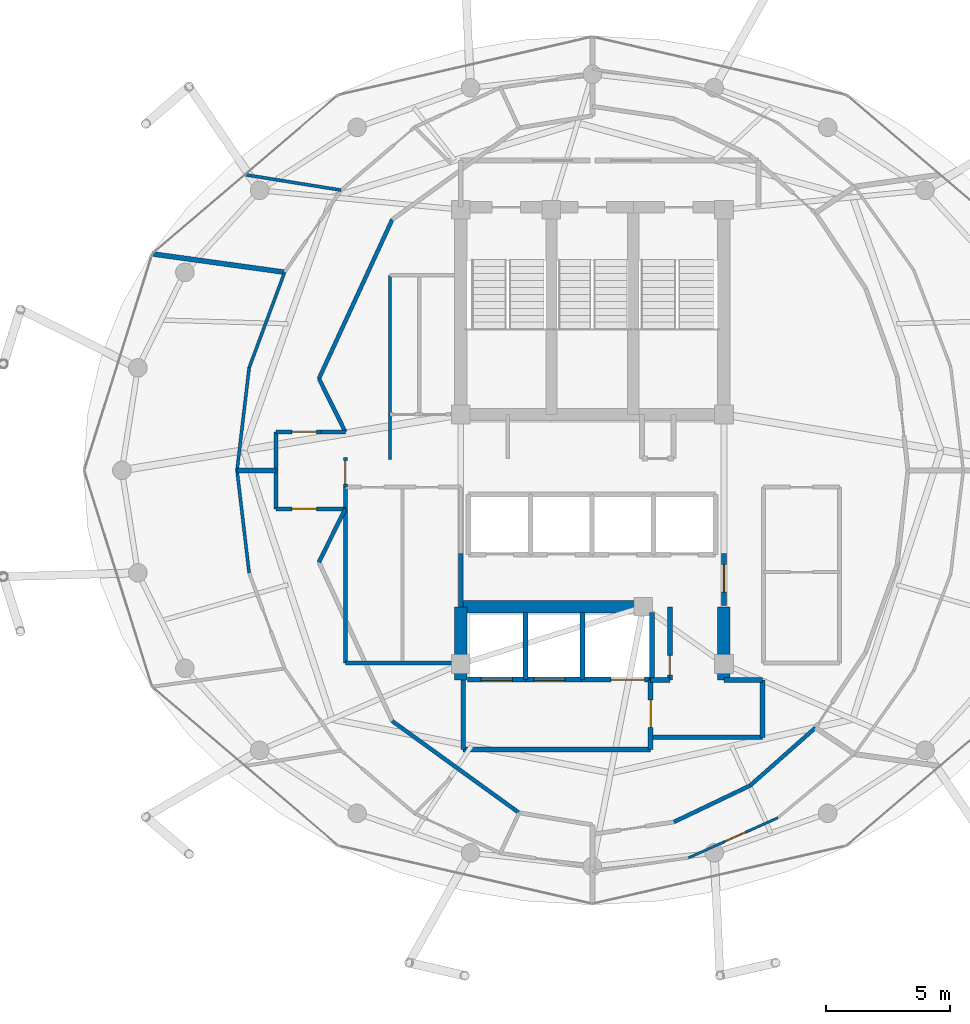
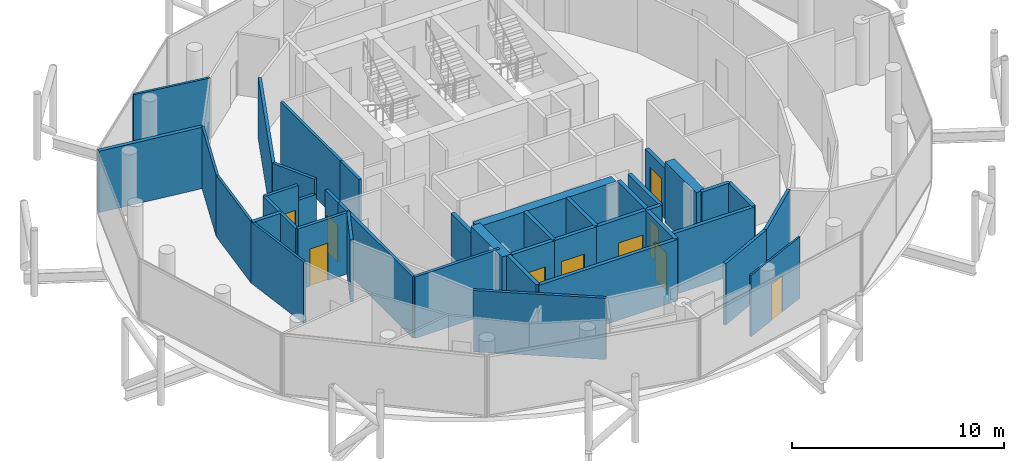
# One storey, part 20 of 24: 41 walls, 10 doors, 10 openings.
"""IFC4 building model written with IfcOpenShell, lengths in metres."""

from ifc_helpers import new_model, si_unit, direction, frame, frame_2d, origin, place, context, subcontext, project, spatial, rectangle, extrude, material, layer, layer_set, type_object, element, fill, save


model = new_model("IFC4")

# Units and contexts
model_context = context("Model", 3, precision=1e-05, world=origin(), true_north=direction((0.0, 1.0)))
body_context = subcontext(model_context, "Body", "Model", "MODEL_VIEW")
ifc_project = project(units=[si_unit("LENGTHUNIT", "METRE"), si_unit("AREAUNIT", "SQUARE_METRE"), si_unit("VOLUMEUNIT", "CUBIC_METRE"), si_unit("PLANEANGLEUNIT", "RADIAN"), si_unit("MASSUNIT", "GRAM", prefix="KILO")], contexts=[model_context])

# Site, building, storey
site_placement = place(None, origin())
site = spatial("IfcSite", under=ifc_project, at=site_placement, CompositionType="ELEMENT")
building_placement = place(site_placement, origin())
building = spatial("IfcBuilding", under=site, at=building_placement, Name="Nuhasar Tower", CompositionType="ELEMENT")
storey_placement = place(building_placement, frame((0.0, 0.0, 270.800048828125)))
storey = spatial("IfcBuildingStorey", under=building, at=storey_placement, Name="L67", CompositionType="ELEMENT", Elevation=270.800048828125)

# Walls
ifc_material_1 = material(Name="Concrete C50/60", Category="concrete")
ifc_layer_1 = layer(ifc_material_1, 0.5)
ifc_layer_set_1 = layer_set([ifc_layer_1], Name="Concrete C50/60")
wall_type_1 = type_object("IfcWallType", Name="WL-CORE-500", PredefinedType="SHEAR", material=ifc_layer_set_1)
for number, where, z_axis, x_axis, name in (
    (1, (33.699951171875, 18.35009765625, 0.0), (0.0, 0.0, 1.0), (0.0, 1.0, 0.0), "L67 Core Shear Wall CW-SW CW-500"),
    (2, (44.300048828125, 18.35009765625, 0.0), (0.0, 0.0, 1.0), (0.0, 1.0, 0.0), "L67 Core Shear Wall CW-SE CW-500"),
):
    element("IfcWall", number, at=place(storey_placement, frame(where, z_axis=z_axis, x_axis=x_axis)), inside=storey, type_object=wall_type_1, Name=name, PredefinedType="SHEAR", context=body_context, shape_type="SweptSolid", body=[
        extrude(rectangle(XDim=2.949951171875, YDim=0.5, at=frame_2d((1.47509765625, 0.0))), origin(), (0.0, 0.0, 1.0), 3.5400390625),
    ])
wall_1_placement = place(storey_placement, frame((33.699951171875, 21.300048828125, 0.0), z_axis=(0.0, 0.0, 1.0), x_axis=(1.0, 0.0, 0.0)))
element("IfcWall", 3, at=wall_1_placement, inside=storey, type_object=wall_type_1, Name="L67 Core Shear Wall CW-S1 CW-500", PredefinedType="SHEAR", context=body_context, shape_type="SweptSolid", body=[
    extrude(rectangle(XDim=7.550048828125, YDim=0.5, at=frame_2d((3.77490234375, 0.0))), origin(), (0.0, 0.0, 1.0), 3.5400390625),
])
ifc_material_2 = material(Name="Gypsum Board", Category="gypsum")
ifc_layer_2 = layer(ifc_material_2, 0.159912109375)
ifc_layer_set_2 = layer_set([ifc_layer_2], Name="Gypsum Board")
wall_type_2 = type_object("IfcWallType", Name="WL-CORR-160", PredefinedType="PARTITIONING", material=ifc_layer_set_2)
wall_2_placement = place(storey_placement, frame((29.050048828125, 19.050048828125, 0.0), z_axis=(0.0, 0.0, 1.0), x_axis=(1.0, 0.0, 0.0)))
element("IfcWall", 4, at=wall_2_placement, inside=storey, type_object=wall_type_2, Name="L67 Interior Partition RECL-B1-S", PredefinedType="PARTITIONING", context=body_context, shape_type="SweptSolid", body=[
    extrude(rectangle(XDim=4.64990234375, YDim=0.159912109375, at=frame_2d((2.324951171875, 0.0))), origin(), (0.0, 0.0, 1.0), 3.5400390625),
])
wall_3_placement = place(storey_placement, frame((29.050048828125, 19.050048828125, 0.0), z_axis=(0.0, 0.0, 1.0), x_axis=(0.0, 1.0, 0.0)))
element("IfcWall", 5, at=wall_3_placement, inside=storey, type_object=wall_type_2, Name="L67 Interior Partition RECL-B1-W", PredefinedType="PARTITIONING", context=body_context, shape_type="SweptSolid", body=[
    extrude(rectangle(XDim=7.070068359375, YDim=0.159912109375, at=frame_2d((3.53515625, 0.0))), origin(), (0.0, 0.0, 1.0), 3.5400390625),
])

# Wall, opening, door
wall_4_placement = place(storey_placement, frame((29.050048828125, 26.1201171875, 0.0), z_axis=(0.0, 0.0, 1.0), x_axis=(0.0, 1.0, 0.0)))
wall_4 = element("IfcWall", 6, at=wall_4_placement, inside=storey, type_object=wall_type_2, Name="L67 Interior Partition WVEST-E", PredefinedType="PARTITIONING", context=body_context, shape_type="SweptSolid", body=[
    extrude(rectangle(XDim=1.199951171875, YDim=0.159912109375, at=frame_2d((0.60009765625, 0.0))), origin(), (0.0, 0.0, 1.0), 3.5400390625),
])
opening_1_placement = place(wall_4_placement, frame((0.125, 0.0, 0.0)))
opening_1 = element("IfcOpeningElement", 7, at=opening_1_placement, cuts=wall_4, Name="Opening DO-01", PredefinedType="OPENING", context=body_context, shape_type="SweptSolid", body=[
    extrude(rectangle(XDim=0.949951171875, YDim=2.14990234375, at=frame_2d((0.47509765625, 1.074951171875))), frame((0.0, 0.08984375, 0.0), z_axis=(0.0, -1.0, 0.0), x_axis=(1.0, 0.0, 0.0)), (0.0, 0.0, 1.0), 0.179931640625),
])
ifc_material_3 = material(Name="Timber Oak", Category="wood")
door_type_1 = type_object("IfcDoorType", Name="DR-OFFICE-FD30-950", OperationType="NOTDEFINED", PredefinedType="DOOR", material=ifc_material_3)
door_1_placement = place(opening_1_placement, origin())
door_1 = element("IfcDoor", 8, at=door_1_placement, inside=storey, type_object=door_type_1, Name="L67 West Arrival Foyer Core Door", OperationType="SINGLE_SWING_RIGHT", OverallHeight=2.14990234375, OverallWidth=0.949951171875, PredefinedType="DOOR", context=body_context, shape_type="SweptSolid", body=[
    extrude(rectangle(XDim=0.949951171875, YDim=2.14990234375, at=frame_2d((0.47509765625, 1.074951171875))), frame((0.0, 0.02490234375, 0.0), z_axis=(0.0, -1.0, 0.0), x_axis=(1.0, 0.0, 0.0)), (0.0, 0.0, 1.0), 0.050048828125),
])
fill(opening_1, door_1)

# Walls
wall_5_placement = place(storey_placement, frame((42.2900390625, 12.639892578125, 0.0), z_axis=(0.0, 0.0, 1.0), x_axis=(0.902332393805, 0.431040892596, 0.0)))
element("IfcWall", 9, at=wall_5_placement, inside=storey, type_object=wall_type_2, Name="L67 Interior Partition CORR-38", PredefinedType="PARTITIONING", context=body_context, shape_type="SweptSolid", body=[
    extrude(rectangle(XDim=3.396728515625, YDim=0.159912109375, at=frame_2d((1.6982421875, 0.0))), origin(), (0.0, 0.0, 1.0), 3.5400390625),
])
wall_6_placement = place(storey_placement, frame((45.35498046875, 14.10400390625, 0.0), z_axis=(0.0, 0.0, 1.0), x_axis=(0.748756574311, 0.662845074226, 0.0)))
element("IfcWall", 10, at=wall_6_placement, inside=storey, type_object=wall_type_2, Name="L67 Interior Partition CORR-40", PredefinedType="PARTITIONING", context=body_context, shape_type="SweptSolid", body=[
    extrude(rectangle(XDim=3.515380859375, YDim=0.159912109375, at=frame_2d((1.7578125, 0.0))), origin(), (0.0, 0.0, 1.0), 3.5400390625),
])
wall_7_placement = place(storey_placement, frame((30.93896484375, 36.89697265625, 0.0), z_axis=(0.0, 0.0, 1.0), x_axis=(-0.41866934876, -0.908138742929, 0.0)))
element("IfcWall", 11, at=wall_7_placement, inside=storey, type_object=wall_type_2, Name="L67 Interior Partition UWEST-CORE-N2-18", PredefinedType="PARTITIONING", context=body_context, shape_type="SweptSolid", body=[
    extrude(rectangle(XDim=7.04833984375, YDim=0.159912109375, at=frame_2d((3.524169921875, 0.0))), origin(), (0.0, 0.0, 1.0), 3.5400390625),
])
wall_8_placement = place(storey_placement, frame((30.93896484375, 16.702880859375, 0.0), z_axis=(0.0, 0.0, 1.0), x_axis=(0.810290119061, -0.586028943784, 0.0)))
element("IfcWall", 12, at=wall_8_placement, inside=storey, type_object=wall_type_2, Name="L67 Interior Partition UWEST-CORE-S1-30", PredefinedType="PARTITIONING", context=body_context, shape_type="SweptSolid", body=[
    extrude(rectangle(XDim=6.306396484375, YDim=0.159912109375, at=frame_2d((3.1533203125, 0.0))), origin(), (0.0, 0.0, 1.0), 3.5400390625),
])

# Wall, opening, door
wall_9_placement = place(storey_placement, frame((26.25, 28.35009765625, 0.0), z_axis=(0.0, 0.0, 1.0), x_axis=(1.0, 0.0, 0.0)))
wall_9 = element("IfcWall", 13, at=wall_9_placement, inside=storey, type_object=wall_type_2, Name="L67 Interior Partition WVEST-N", PredefinedType="PARTITIONING", context=body_context, shape_type="SweptSolid", body=[
    extrude(rectangle(XDim=1.820068359375, YDim=0.159912109375, at=frame_2d((0.91015625, 0.0))), origin(), (0.0, 0.0, 1.0), 3.5400390625),
])
opening_2_placement = place(wall_9_placement, frame((0.64990234375, 0.0, 0.0)))
opening_2 = element("IfcOpeningElement", 14, at=opening_2_placement, cuts=wall_9, Name="Opening DU-02", PredefinedType="OPENING", context=body_context, shape_type="SweptSolid", body=[
    extrude(rectangle(XDim=1.0, YDim=2.14990234375, at=frame_2d((0.5, 1.074951171875))), frame((0.0, 0.08984375, 0.0), z_axis=(0.0, -1.0, 0.0), x_axis=(1.0, 0.0, 0.0)), (0.0, 0.0, 1.0), 0.179931640625),
])
door_type_2 = type_object("IfcDoorType", Name="DR-FLAT-FD60-1000", OperationType="NOTDEFINED", PredefinedType="DOOR", material=ifc_material_3)
door_2_placement = place(opening_2_placement, origin())
door_2 = element("IfcDoor", 15, at=door_2_placement, inside=storey, type_object=door_type_2, Name="L67 North-West Sky Home Entrance", OperationType="SINGLE_SWING_LEFT", OverallHeight=2.14990234375, OverallWidth=1.0, PredefinedType="DOOR", context=body_context, shape_type="SweptSolid", body=[
    extrude(rectangle(XDim=1.0, YDim=2.14990234375, at=frame_2d((0.5, 1.074951171875))), frame((0.0, 0.02490234375, 0.0), z_axis=(0.0, -1.0, 0.0), x_axis=(1.0, 0.0, 0.0)), (0.0, 0.0, 1.0), 0.050048828125),
])
fill(opening_2, door_2)

# Wall
wall_10_placement = place(storey_placement, frame((28.070068359375, 28.35009765625, 0.0), z_axis=(0.0, 0.0, 1.0), x_axis=(1.0, 0.0, 0.0)))
element("IfcWall", 16, at=wall_10_placement, inside=storey, type_object=wall_type_2, Name="L67 Interior Partition WVEST-N", PredefinedType="PARTITIONING", context=body_context, shape_type="SweptSolid", body=[
    extrude(rectangle(XDim=0.97998046875, YDim=0.159912109375, at=frame_2d((0.489990234375, 0.0))), origin(), (0.0, 0.0, 1.0), 2.679931640625),
])

# Wall, opening, door
wall_11_placement = place(storey_placement, frame((26.25, 25.25, 0.0), z_axis=(0.0, 0.0, 1.0), x_axis=(1.0, 0.0, 0.0)))
wall_11 = element("IfcWall", 17, at=wall_11_placement, inside=storey, type_object=wall_type_2, Name="L67 Interior Partition WVEST-S", PredefinedType="PARTITIONING", context=body_context, shape_type="SweptSolid", body=[
    extrude(rectangle(XDim=2.800048828125, YDim=0.159912109375, at=frame_2d((1.39990234375, 0.0))), origin(), (0.0, 0.0, 1.0), 3.5400390625),
])
opening_3_placement = place(wall_11_placement, frame((0.64990234375, 0.0, 0.0)))
opening_3 = element("IfcOpeningElement", 18, at=opening_3_placement, cuts=wall_11, Name="Opening DU-02", PredefinedType="OPENING", context=body_context, shape_type="SweptSolid", body=[
    extrude(rectangle(XDim=1.0, YDim=2.14990234375, at=frame_2d((0.5, 1.074951171875))), frame((0.0, 0.08984375, 0.0), z_axis=(0.0, -1.0, 0.0), x_axis=(1.0, 0.0, 0.0)), (0.0, 0.0, 1.0), 0.179931640625),
])
door_3_placement = place(opening_3_placement, origin())
door_3 = element("IfcDoor", 19, at=door_3_placement, inside=storey, type_object=door_type_2, Name="L67 South-West Sky Home Entrance", OperationType="SINGLE_SWING_LEFT", OverallHeight=2.14990234375, OverallWidth=1.0, PredefinedType="DOOR", context=body_context, shape_type="SweptSolid", body=[
    extrude(rectangle(XDim=1.0, YDim=2.14990234375, at=frame_2d((0.5, 1.074951171875))), frame((0.0, 0.02490234375, 0.0), z_axis=(0.0, -1.0, 0.0), x_axis=(1.0, 0.0, 0.0)), (0.0, 0.0, 1.0), 0.050048828125),
])
fill(opening_3, door_3)

# Walls
wall_12_placement = place(storey_placement, frame((26.25, 25.25, 0.0), z_axis=(0.0, 0.0, 1.0), x_axis=(0.0, 1.0, 0.0)))
element("IfcWall", 20, at=wall_12_placement, inside=storey, type_object=wall_type_2, Name="L67 Interior Partition WVEST-W", PredefinedType="PARTITIONING", context=body_context, shape_type="SweptSolid", body=[
    extrude(rectangle(XDim=3.10009765625, YDim=0.159912109375, at=frame_2d((1.550048828125, 0.0))), origin(), (0.0, 0.0, 1.0), 3.5400390625),
])
for number, where, z_axis, x_axis, name in (
    (21, (27.988037109375, 30.49609375, 0.0), (0.0, 0.0, 1.0), (0.443539160525, -0.896254993337, 0.0), "L67 Interior Partition WVEST-CN"),
    (22, (27.988037109375, 23.10400390625, 0.0), (0.0, 0.0, 1.0), (0.443539160525, 0.896254993337, 0.0), "L67 Interior Partition WVEST-CS"),
):
    element("IfcWall", number, at=place(storey_placement, frame(where, z_axis=z_axis, x_axis=x_axis)), inside=storey, type_object=wall_type_2, Name=name, PredefinedType="PARTITIONING", context=body_context, shape_type="SweptSolid", body=[
        extrude(rectangle(XDim=2.394287109375, YDim=0.159912109375, at=frame_2d((1.197265625, 0.0))), origin(), (0.0, 0.0, 1.0), 3.5400390625),
    ])
ifc_material_4 = material(Name="Concrete C45/55", Category="concrete")
ifc_layer_3 = layer(ifc_material_4, 0.199951171875)
ifc_layer_set_3 = layer_set([ifc_layer_3], Name="Concrete C45/55")
wall_type_3 = type_object("IfcWallType", Name="WL-LOBBY-200", PredefinedType="SOLIDWALL", material=ifc_layer_set_3)
wall_13_placement = place(storey_placement, frame((33.699951171875, 21.300048828125, 0.0), z_axis=(0.0, 0.0, 1.0), x_axis=(0.0, 1.0, 0.0)))
element("IfcWall", 23, at=wall_13_placement, inside=storey, type_object=wall_type_3, Name="L67 Interior Partition LLBH-W", PredefinedType="SOLIDWALL", context=body_context, shape_type="SweptSolid", body=[
    extrude(rectangle(XDim=2.14990234375, YDim=0.199951171875, at=frame_2d((1.074951171875, 0.0))), origin(), (0.0, 0.0, 1.0), 2.925048828125),
])

# Wall, opening, door
wall_14_placement = place(storey_placement, frame((44.300048828125, 21.35009765625, 0.0), z_axis=(0.0, 0.0, 1.0), x_axis=(0.0, 1.0, 0.0)))
wall_14 = element("IfcWall", 24, at=wall_14_placement, inside=storey, type_object=wall_type_3, Name="L67 Interior Partition LLBH-E", PredefinedType="SOLIDWALL", context=body_context, shape_type="SweptSolid", body=[
    extrude(rectangle(XDim=2.099853515625, YDim=0.199951171875, at=frame_2d((1.0498046875, 0.0))), origin(), (0.0, 0.0, 1.0), 2.925048828125),
])
opening_4_placement = place(wall_14_placement, frame((0.550048828125, 0.0, 0.0)))
opening_4 = element("IfcOpeningElement", 25, at=opening_4_placement, cuts=wall_14, Name="Opening DS-02", PredefinedType="OPENING", context=body_context, shape_type="SweptSolid", body=[
    extrude(rectangle(XDim=1.10009765625, YDim=2.14990234375, at=frame_2d((0.550048828125, 1.074951171875))), frame((0.0, 0.10986328125, 0.0), z_axis=(0.0, -1.0, 0.0), x_axis=(1.0, 0.0, 0.0)), (0.0, 0.0, 1.0), 0.219970703125),
])
ifc_material_5 = material(Name="Steel S355", Category="steel")
door_type_3 = type_object("IfcDoorType", Name="DR-FFL-FD120-1100", OperationType="NOTDEFINED", PredefinedType="DOOR", material=ifc_material_5)
door_4_placement = place(opening_4_placement, origin())
door_4 = element("IfcDoor", 26, at=door_4_placement, inside=storey, type_object=door_type_3, Name="L67 High-Rise Lobby East Door", OperationType="SINGLE_SWING_RIGHT", OverallHeight=2.14990234375, OverallWidth=1.10009765625, PredefinedType="DOOR", context=body_context, shape_type="SweptSolid", body=[
    extrude(rectangle(XDim=1.10009765625, YDim=2.14990234375, at=frame_2d((0.550048828125, 1.074951171875))), frame((0.0, 0.02490234375, 0.0), z_axis=(0.0, -1.0, 0.0), x_axis=(1.0, 0.0, 0.0)), (0.0, 0.0, 1.0), 0.050048828125),
])
fill(opening_4, door_4)

# Walls
wall_15_placement = place(storey_placement, frame((33.800048828125, 15.550048828125, 0.0), z_axis=(0.0, 0.0, 1.0), x_axis=(1.0, 0.0, 0.0)))
element("IfcWall", 27, at=wall_15_placement, inside=storey, type_object=wall_type_3, Name="L67 Interior Partition FFL-S", PredefinedType="SOLIDWALL", context=body_context, shape_type="SweptSolid", body=[
    extrude(rectangle(XDim=7.550048828125, YDim=0.199951171875, at=frame_2d((3.77490234375, 0.0))), origin(), (0.0, 0.0, 1.0), 3.5400390625),
])
wall_16_placement = place(storey_placement, frame((33.800048828125, 15.550048828125, 0.0), z_axis=(0.0, 0.0, 1.0), x_axis=(0.0, 1.0, 0.0)))
element("IfcWall", 28, at=wall_16_placement, inside=storey, type_object=wall_type_3, Name="L67 Interior Partition FFL-W", PredefinedType="SOLIDWALL", context=body_context, shape_type="SweptSolid", body=[
    extrude(rectangle(XDim=2.800048828125, YDim=0.199951171875, at=frame_2d((1.39990234375, 0.0))), origin(), (0.0, 0.0, 1.0), 3.5400390625),
])

# Wall, opening, door
wall_17_placement = place(storey_placement, frame((41.35009765625, 15.550048828125, 0.0), z_axis=(0.0, 0.0, 1.0), x_axis=(0.0, 1.0, 0.0)))
wall_17 = element("IfcWall", 29, at=wall_17_placement, inside=storey, type_object=wall_type_3, Name="L67 Interior Partition FFL-E", PredefinedType="SOLIDWALL", context=body_context, shape_type="SweptSolid", body=[
    extrude(rectangle(XDim=2.800048828125, YDim=0.199951171875, at=frame_2d((1.39990234375, 0.0))), origin(), (0.0, 0.0, 1.0), 3.5400390625),
])
opening_5_placement = place(wall_17_placement, frame((0.89990234375, 0.0, 0.0)))
opening_5 = element("IfcOpeningElement", 30, at=opening_5_placement, cuts=wall_17, Name="Opening DS-02", PredefinedType="OPENING", context=body_context, shape_type="SweptSolid", body=[
    extrude(rectangle(XDim=1.10009765625, YDim=2.14990234375, at=frame_2d((0.550048828125, 1.074951171875))), frame((0.0, 0.10986328125, 0.0), z_axis=(0.0, -1.0, 0.0), x_axis=(1.0, 0.0, 0.0)), (0.0, 0.0, 1.0), 0.219970703125),
])
door_5_placement = place(opening_5_placement, origin())
door_5 = element("IfcDoor", 31, at=door_5_placement, inside=storey, type_object=door_type_3, Name="L67 Firefighting Lobby Door", OperationType="SINGLE_SWING_RIGHT", OverallHeight=2.14990234375, OverallWidth=1.10009765625, PredefinedType="DOOR", context=body_context, shape_type="SweptSolid", body=[
    extrude(rectangle(XDim=1.10009765625, YDim=2.14990234375, at=frame_2d((0.550048828125, 1.074951171875))), frame((0.0, 0.02490234375, 0.0), z_axis=(0.0, -1.0, 0.0), x_axis=(1.0, 0.0, 0.0)), (0.0, 0.0, 1.0), 0.050048828125),
])
fill(opening_5, door_5)

# Walls
wall_18_placement = place(storey_placement, frame((41.35009765625, 16.050048828125, 0.0), z_axis=(0.0, 0.0, 1.0), x_axis=(1.0, 0.0, 0.0)))
element("IfcWall", 32, at=wall_18_placement, inside=storey, type_object=wall_type_3, Name="L67 Interior Partition SVLV-S", PredefinedType="SOLIDWALL", context=body_context, shape_type="SweptSolid", body=[
    extrude(rectangle(XDim=4.5, YDim=0.199951171875, at=frame_2d((2.25, 0.0))), origin(), (0.0, 0.0, 1.0), 3.5400390625),
])
wall_19_placement = place(storey_placement, frame((45.85009765625, 16.050048828125, 0.0), z_axis=(0.0, 0.0, 1.0), x_axis=(0.0, 1.0, 0.0)))
element("IfcWall", 33, at=wall_19_placement, inside=storey, type_object=wall_type_3, Name="L67 Interior Partition SVLV-E", PredefinedType="SOLIDWALL", context=body_context, shape_type="SweptSolid", body=[
    extrude(rectangle(XDim=2.300048828125, YDim=0.199951171875, at=frame_2d((1.14990234375, 0.0))), origin(), (0.0, 0.0, 1.0), 3.5400390625),
])
wall_20_placement = place(storey_placement, frame((44.300048828125, 18.35009765625, 0.0), z_axis=(0.0, 0.0, 1.0), x_axis=(1.0, 0.0, 0.0)))
element("IfcWall", 34, at=wall_20_placement, inside=storey, type_object=wall_type_3, Name="L67 Interior Partition SVLV-N", PredefinedType="SOLIDWALL", context=body_context, shape_type="SweptSolid", body=[
    extrude(rectangle(XDim=1.550048828125, YDim=0.199951171875, at=frame_2d((0.77490234375, 0.0))), origin(), (0.0, 0.0, 1.0), 3.5400390625),
])

# Wall, opening, door
ifc_material_6 = material(Name="Aluminium 6063-T6", Category="aluminium")
ifc_layer_4 = layer(ifc_material_6, 0.10009765625)
ifc_layer_set_4 = layer_set([ifc_layer_4], Name="Aluminium 6063-T6")
wall_type_4 = type_object("IfcWallType", Name="WL-MOVABLE-100", PredefinedType="MOVABLE", material=ifc_layer_set_4)
wall_21_placement = place(storey_placement, frame((42.866943359375, 11.19091796875, 0.0), z_axis=(0.0, 0.0, 1.0), x_axis=(0.912616745569, 0.408816188166, 0.0)))
wall_21 = element("IfcWall", 35, at=wall_21_placement, inside=storey, type_object=wall_type_4, Name="L67 Interior Partition UMID5-01-38", PredefinedType="MOVABLE", context=body_context, shape_type="SweptSolid", body=[
    extrude(rectangle(XDim=3.947998046875, YDim=0.10009765625, at=frame_2d((1.97412109375, 0.0))), origin(), (0.0, 0.0, 1.0), 3.5400390625),
])
opening_6_placement = place(wall_21_placement, frame((1.6259765625, 0.0, 0.0)))
opening_6 = element("IfcOpeningElement", 36, at=opening_6_placement, cuts=wall_21, Name="Opening DR-01", PredefinedType="OPENING", context=body_context, shape_type="SweptSolid", body=[
    extrude(rectangle(XDim=0.89990234375, YDim=2.10009765625, at=frame_2d((0.449951171875, 1.050048828125))), frame((0.0, 0.06005859375, 0.0), z_axis=(0.0, -1.0, 0.0), x_axis=(1.0, 0.0, 0.0)), (0.0, 0.0, 1.0), 0.1201171875),
])
door_type_4 = type_object("IfcDoorType", Name="DR-ROOM-900", OperationType="NOTDEFINED", PredefinedType="DOOR", material=ifc_material_3)
door_6_placement = place(opening_6_placement, origin())
door_6 = element("IfcDoor", 37, at=door_6_placement, inside=storey, type_object=door_type_4, Name="L67 Private Chancellery Office 1 Inner Door", OperationType="SINGLE_SWING_RIGHT", OverallHeight=2.10009765625, OverallWidth=0.89990234375, PredefinedType="DOOR", context=body_context, shape_type="SweptSolid", body=[
    extrude(rectangle(XDim=0.89990234375, YDim=2.10009765625, at=frame_2d((0.449951171875, 1.050048828125))), frame((0.0, 0.02490234375, 0.0), z_axis=(0.0, -1.0, 0.0), x_axis=(1.0, 0.0, 0.0)), (0.0, 0.0, 1.0), 0.050048828125),
])
fill(opening_6, door_6)

# Walls
ifc_layer_5 = layer(ifc_material_2, 0.125)
ifc_layer_set_5 = layer_set([ifc_layer_5], Name="Gypsum Board")
wall_type_5 = type_object("IfcWallType", Name="WL-PART-125", PredefinedType="PARTITIONING", material=ifc_layer_set_5)
wall_22_placement = place(storey_placement, frame((26.60693359375, 34.780029296875, 0.0), z_axis=(0.0, 0.0, 1.0), x_axis=(-0.348032750503, -0.937482375609, 0.0)))
element("IfcWall", 38, at=wall_22_placement, inside=storey, type_object=wall_type_5, Name="L67 Interior Partition USM-1-D-20", PredefinedType="PARTITIONING", context=body_context, shape_type="SweptSolid", body=[
    extrude(rectangle(XDim=4.105712890625, YDim=0.125, at=frame_2d((2.052734375, 0.0))), origin(), (0.0, 0.0, 1.0), 3.5400390625),
])
wall_23_placement = place(storey_placement, frame((25.177978515625, 30.930908203125, 0.0), z_axis=(0.0, 0.0, 1.0), x_axis=(-0.117328208879, -0.993093193714, 0.0)))
element("IfcWall", 39, at=wall_23_placement, inside=storey, type_object=wall_type_5, Name="L67 Interior Partition USM-1-D-22", PredefinedType="PARTITIONING", context=body_context, shape_type="SweptSolid", body=[
    extrude(rectangle(XDim=4.15966796875, YDim=0.125, at=frame_2d((2.079833984375, 0.0))), origin(), (0.0, 0.0, 1.0), 3.5400390625),
])
wall_24_placement = place(storey_placement, frame((28.881103515625, 38.0849609375, 0.0), z_axis=(0.0, 0.0, 1.0), x_axis=(-0.987319807671, 0.158743810525, 0.0)))
element("IfcWall", 40, at=wall_24_placement, inside=storey, type_object=wall_type_5, Name="L67 Interior Partition USO-1-BD", PredefinedType="PARTITIONING", context=body_context, shape_type="SweptSolid", body=[
    extrude(rectangle(XDim=3.88037109375, YDim=0.125, at=frame_2d((1.940185546875, 0.0))), origin(), (0.0, 0.0, 1.0), 3.5400390625),
])
wall_25_placement = place(storey_placement, frame((24.68994140625, 26.800048828125, 0.0), z_axis=(0.0, 0.0, 1.0), x_axis=(0.11732137044, -0.993094001612, 0.0)))
element("IfcWall", 41, at=wall_25_placement, inside=storey, type_object=wall_type_5, Name="L67 Interior Partition USM-2-D-24", PredefinedType="PARTITIONING", context=body_context, shape_type="SweptSolid", body=[
    extrude(rectangle(XDim=4.159912109375, YDim=0.125, at=frame_2d((2.080078125, 0.0))), origin(), (0.0, 0.0, 1.0), 3.5400390625),
])

# Wall, opening, door
ifc_layer_6 = layer(ifc_material_4, 0.199951171875)
ifc_layer_set_6 = layer_set([ifc_layer_6], Name="Concrete C45/55")
wall_type_6 = type_object("IfcWallType", Name="WL-SHAFT-200", PredefinedType="SOLIDWALL", material=ifc_layer_set_6)
wall_26_placement = place(storey_placement, frame((33.969970703125, 18.3701171875, 0.0), z_axis=(0.0, 0.0, 1.0), x_axis=(1.0, 0.0, 0.0)))
wall_26 = element("IfcWall", 42, at=wall_26_placement, inside=storey, type_object=wall_type_6, Name="L67 Interior Partition SHF-FFL-01-S", PredefinedType="SOLIDWALL", context=body_context, shape_type="SweptSolid", body=[
    extrude(rectangle(XDim=2.360107421875, YDim=0.199951171875, at=frame_2d((1.18017578125, 0.0))), origin(), (0.0, 0.0, 1.0), 3.5400390625),
])
opening_7_placement = place(wall_26_placement, frame((0.554931640625, 0.0, 0.0)))
opening_7 = element("IfcOpeningElement", 43, at=opening_7_placement, cuts=wall_26, Name="Opening LD-F01", PredefinedType="OPENING", context=body_context, shape_type="SweptSolid", body=[
    extrude(rectangle(XDim=1.25, YDim=2.199951171875, at=frame_2d((0.625, 1.10009765625))), frame((0.0, 0.10986328125, 0.0), z_axis=(0.0, -1.0, 0.0), x_axis=(1.0, 0.0, 0.0)), (0.0, 0.0, 1.0), 0.219970703125),
])
ifc_material_7 = material(Name="Stainless Steel 316L", Category="steel")
door_type_5 = type_object("IfcDoorType", Name="LD-FFL-1250", OperationType="DOUBLE_DOOR_SLIDING", PredefinedType="DOOR", material=ifc_material_7)
door_7_placement = place(opening_7_placement, origin())
door_7 = element("IfcDoor", 44, at=door_7_placement, inside=storey, type_object=door_type_5, Name="L67 Lift Landing Door FFL-01", OperationType="DOUBLE_DOOR_SLIDING", OverallHeight=2.199951171875, OverallWidth=1.25, PredefinedType="DOOR", context=body_context, shape_type="SweptSolid", body=[
    extrude(rectangle(XDim=1.25, YDim=2.199951171875, at=frame_2d((0.625, 1.10009765625))), frame((0.0, 0.02490234375, 0.0), z_axis=(0.0, -1.0, 0.0), x_axis=(1.0, 0.0, 0.0)), (0.0, 0.0, 1.0), 0.050048828125),
])
fill(opening_7, door_7)

# Wall
wall_27_placement = place(storey_placement, frame((36.300048828125, 18.3701171875, 0.0), z_axis=(0.0, 0.0, 1.0), x_axis=(0.0, 1.0, 0.0)))
element("IfcWall", 45, at=wall_27_placement, inside=storey, type_object=wall_type_6, Name="L67 Interior Partition SHF-FFL-01-E", PredefinedType="SOLIDWALL", context=body_context, shape_type="SweptSolid", body=[
    extrude(rectangle(XDim=2.7099609375, YDim=0.199951171875, at=frame_2d((1.35498046875, 0.0))), origin(), (0.0, 0.0, 1.0), 3.5400390625),
])

# Wall, opening, door
wall_28_placement = place(storey_placement, frame((36.27001953125, 18.3701171875, 0.0), z_axis=(0.0, 0.0, 1.0), x_axis=(1.0, 0.0, 0.0)))
wall_28 = element("IfcWall", 46, at=wall_28_placement, inside=storey, type_object=wall_type_6, Name="L67 Interior Partition SHF-FFL-02-S", PredefinedType="SOLIDWALL", context=body_context, shape_type="SweptSolid", body=[
    extrude(rectangle(XDim=2.35986328125, YDim=0.199951171875, at=frame_2d((1.179931640625, 0.0))), origin(), (0.0, 0.0, 1.0), 3.5400390625),
])
opening_8_placement = place(wall_28_placement, frame((0.3798828125, 0.0, 0.0)))
opening_8 = element("IfcOpeningElement", 47, at=opening_8_placement, cuts=wall_28, Name="Opening LD-F02", PredefinedType="OPENING", context=body_context, shape_type="SweptSolid", body=[
    extrude(rectangle(XDim=1.25, YDim=2.199951171875, at=frame_2d((0.625, 1.10009765625))), frame((0.0, 0.10986328125, 0.0), z_axis=(0.0, -1.0, 0.0), x_axis=(1.0, 0.0, 0.0)), (0.0, 0.0, 1.0), 0.219970703125),
])
door_8_placement = place(opening_8_placement, origin())
door_8 = element("IfcDoor", 48, at=door_8_placement, inside=storey, type_object=door_type_5, Name="L67 Lift Landing Door FFL-02", OperationType="DOUBLE_DOOR_SLIDING", OverallHeight=2.199951171875, OverallWidth=1.25, PredefinedType="DOOR", context=body_context, shape_type="SweptSolid", body=[
    extrude(rectangle(XDim=1.25, YDim=2.199951171875, at=frame_2d((0.625, 1.10009765625))), frame((0.0, 0.02490234375, 0.0), z_axis=(0.0, -1.0, 0.0), x_axis=(1.0, 0.0, 0.0)), (0.0, 0.0, 1.0), 0.050048828125),
])
fill(opening_8, door_8)

# Wall
wall_29_placement = place(storey_placement, frame((38.60009765625, 18.3701171875, 0.0), z_axis=(0.0, 0.0, 1.0), x_axis=(0.0, 1.0, 0.0)))
element("IfcWall", 49, at=wall_29_placement, inside=storey, type_object=wall_type_6, Name="L67 Interior Partition SHF-FFL-02-E", PredefinedType="SOLIDWALL", context=body_context, shape_type="SweptSolid", body=[
    extrude(rectangle(XDim=2.7099609375, YDim=0.199951171875, at=frame_2d((1.35498046875, 0.0))), origin(), (0.0, 0.0, 1.0), 3.5400390625),
])

# Wall, opening, door
wall_30_placement = place(storey_placement, frame((38.570068359375, 18.3701171875, 0.0), z_axis=(0.0, 0.0, 1.0), x_axis=(1.0, 0.0, 0.0)))
wall_30 = element("IfcWall", 50, at=wall_30_placement, inside=storey, type_object=wall_type_6, Name="L67 Interior Partition SHF-SVL-01-S", PredefinedType="SOLIDWALL", context=body_context, shape_type="SweptSolid", body=[
    extrude(rectangle(XDim=2.829833984375, YDim=0.199951171875, at=frame_2d((1.4150390625, 0.0))), origin(), (0.0, 0.0, 1.0), 3.5400390625),
])
opening_9_placement = place(wall_30_placement, frame((1.179931640625, 0.0, 0.0)))
opening_9 = element("IfcOpeningElement", 51, at=opening_9_placement, cuts=wall_30, Name="Opening LD-S01", PredefinedType="OPENING", context=body_context, shape_type="SweptSolid", body=[
    extrude(rectangle(XDim=1.35009765625, YDim=2.179931640625, at=frame_2d((0.675048828125, 1.08984375))), frame((0.0, 0.10986328125, 0.0), z_axis=(0.0, -1.0, 0.0), x_axis=(1.0, 0.0, 0.0)), (0.0, 0.0, 1.0), 0.219970703125),
])
door_type_6 = type_object("IfcDoorType", Name="LD-SVL-1350", OperationType="DOUBLE_DOOR_SLIDING", PredefinedType="DOOR", material=ifc_material_7)
door_9_placement = place(opening_9_placement, origin())
door_9 = element("IfcDoor", 52, at=door_9_placement, inside=storey, type_object=door_type_6, Name="L67 Lift Landing Door SVL-01", OperationType="DOUBLE_DOOR_SLIDING", OverallHeight=2.179931640625, OverallWidth=1.35009765625, PredefinedType="DOOR", context=body_context, shape_type="SweptSolid", body=[
    extrude(rectangle(XDim=1.35009765625, YDim=2.179931640625, at=frame_2d((0.675048828125, 1.08984375))), frame((0.0, 0.02490234375, 0.0), z_axis=(0.0, -1.0, 0.0), x_axis=(1.0, 0.0, 0.0)), (0.0, 0.0, 1.0), 0.050048828125),
])
fill(opening_9, door_9)

# Wall
wall_31_placement = place(storey_placement, frame((41.39990234375, 18.3701171875, 0.0), z_axis=(0.0, 0.0, 1.0), x_axis=(0.0, 1.0, 0.0)))
element("IfcWall", 53, at=wall_31_placement, inside=storey, type_object=wall_type_6, Name="L67 Interior Partition SHF-SVL-01-E", PredefinedType="SOLIDWALL", context=body_context, shape_type="SweptSolid", body=[
    extrude(rectangle(XDim=2.7099609375, YDim=0.199951171875, at=frame_2d((1.35498046875, 0.0))), origin(), (0.0, 0.0, 1.0), 3.5400390625),
])

# Wall, opening, door
wall_32_placement = place(storey_placement, frame((42.1201171875, 18.35009765625, 0.0), z_axis=(0.0, 0.0, 1.0), x_axis=(0.0, 1.0, 0.0)))
wall_32 = element("IfcWall", 54, at=wall_32_placement, inside=storey, type_object=wall_type_6, Name="L67 Interior Partition RSR-E", PredefinedType="SOLIDWALL", context=body_context, shape_type="SweptSolid", body=[
    extrude(rectangle(XDim=2.949951171875, YDim=0.199951171875, at=frame_2d((1.47509765625, 0.0))), origin(), (0.0, 0.0, 1.0), 3.5400390625),
])
opening_10_placement = place(wall_32_placement, frame((0.199951171875, 0.0, 0.0)))
opening_10 = element("IfcOpeningElement", 55, at=opening_10_placement, cuts=wall_32, Name="Opening DM-01", PredefinedType="OPENING", context=body_context, shape_type="SweptSolid", body=[
    extrude(rectangle(XDim=0.800048828125, YDim=2.050048828125, at=frame_2d((0.39990234375, 1.02490234375))), frame((0.0, 0.10986328125, 0.0), z_axis=(0.0, -1.0, 0.0), x_axis=(1.0, 0.0, 0.0)), (0.0, 0.0, 1.0), 0.219970703125),
])
door_type_7 = type_object("IfcDoorType", Name="DR-RISER-FD60-800", OperationType="NOTDEFINED", PredefinedType="DOOR", material=ifc_material_5)
door_10_placement = place(opening_10_placement, origin())
door_10 = element("IfcDoor", 56, at=door_10_placement, inside=storey, type_object=door_type_7, Name="L67 MEP Riser Access Door", OperationType="SINGLE_SWING_LEFT", OverallHeight=2.050048828125, OverallWidth=0.800048828125, PredefinedType="DOOR", context=body_context, shape_type="SweptSolid", body=[
    extrude(rectangle(XDim=0.800048828125, YDim=2.050048828125, at=frame_2d((0.39990234375, 1.02490234375))), frame((0.0, 0.02490234375, 0.0), z_axis=(0.0, -1.0, 0.0), x_axis=(1.0, 0.0, 0.0)), (0.0, 0.0, 1.0), 0.050048828125),
])
fill(opening_10, door_10)

# Walls
wall_33_placement = place(storey_placement, frame((41.35009765625, 18.35009765625, 0.0), z_axis=(0.0, 0.0, 1.0), x_axis=(1.0, 0.0, 0.0)))
element("IfcWall", 57, at=wall_33_placement, inside=storey, type_object=wall_type_6, Name="L67 Interior Partition RSR-S", PredefinedType="SOLIDWALL", context=body_context, shape_type="SweptSolid", body=[
    extrude(rectangle(XDim=0.77001953125, YDim=0.199951171875, at=frame_2d((0.385009765625, 0.0))), origin(), (0.0, 0.0, 1.0), 3.5400390625),
])
ifc_material_8 = material(Name="Concrete C40/50 precast", Category="concrete")
ifc_layer_7 = layer(ifc_material_8, 0.199951171875)
ifc_layer_set_7 = layer_set([ifc_layer_7], Name="Concrete C40/50 precast")
wall_type_7 = type_object("IfcWallType", Name="WL-UNIT-200", PredefinedType="PARTITIONING", material=ifc_layer_set_7)
wall_34_placement = place(storey_placement, frame((26.25, 26.800048828125, 0.0), z_axis=(0.0, 0.0, 1.0), x_axis=(-1.0, 0.0, 0.0)))
element("IfcWall", 58, at=wall_34_placement, inside=storey, type_object=wall_type_7, Name="L67 Interior Partition UWEST-PARTY-IN", PredefinedType="PARTITIONING", context=body_context, shape_type="SweptSolid", body=[
    extrude(rectangle(XDim=1.56005859375, YDim=0.199951171875, at=frame_2d((0.780029296875, 0.0))), origin(), (0.0, 0.0, 1.0), 3.5400390625),
])
wall_35_placement = place(storey_placement, frame((26.60693359375, 34.780029296875, 0.0), z_axis=(0.0, 0.0, 1.0), x_axis=(-0.99055921799, 0.137085504905, 0.0)))
element("IfcWall", 59, at=wall_35_placement, inside=storey, type_object=wall_type_7, Name="L67 Interior Partition UWEST-PARTY-OUT", PredefinedType="PARTITIONING", context=body_context, shape_type="SweptSolid", body=[
    extrude(rectangle(XDim=5.346435546875, YDim=0.199951171875, at=frame_2d((2.67333984375, 0.0))), origin(), (0.0, 0.0, 1.0), 3.5400390625),
])
ifc_layer_8 = layer(ifc_material_8, 0.139892578125)
ifc_layer_set_8 = layer_set([ifc_layer_8], Name="Concrete C40/50 precast")
wall_type_8 = type_object("IfcWallType", Name="WL-WET-140", PredefinedType="PARTITIONING", material=ifc_layer_set_8)
wall_36_placement = place(storey_placement, frame((30.85009765625, 27.239990234375, 0.0), z_axis=(0.0, 0.0, 1.0), x_axis=(0.0, 1.0, 0.0)))
element("IfcWall", 60, at=wall_36_placement, inside=storey, type_object=wall_type_8, Name="L67 Interior Partition K2-FOY-W", PredefinedType="PARTITIONING", context=body_context, shape_type="SweptSolid", body=[
    extrude(rectangle(XDim=1.81005859375, YDim=0.139892578125, at=frame_2d((0.905029296875, 0.0))), origin(), (0.0, 0.0, 1.0), 3.5400390625),
])
wall_37_placement = place(storey_placement, frame((30.85009765625, 29.050048828125, 0.0), z_axis=(0.0, 0.0, 1.0), x_axis=(0.0, 1.0, 0.0)))
element("IfcWall", 61, at=wall_37_placement, inside=storey, type_object=wall_type_8, Name="L67 Interior Partition K2-NW-W", PredefinedType="PARTITIONING", context=body_context, shape_type="SweptSolid", body=[
    extrude(rectangle(XDim=5.599853515625, YDim=0.139892578125, at=frame_2d((2.7998046875, 0.0))), origin(), (0.0, 0.0, 1.0), 3.5400390625),
])

save(model, "model.ifc")
